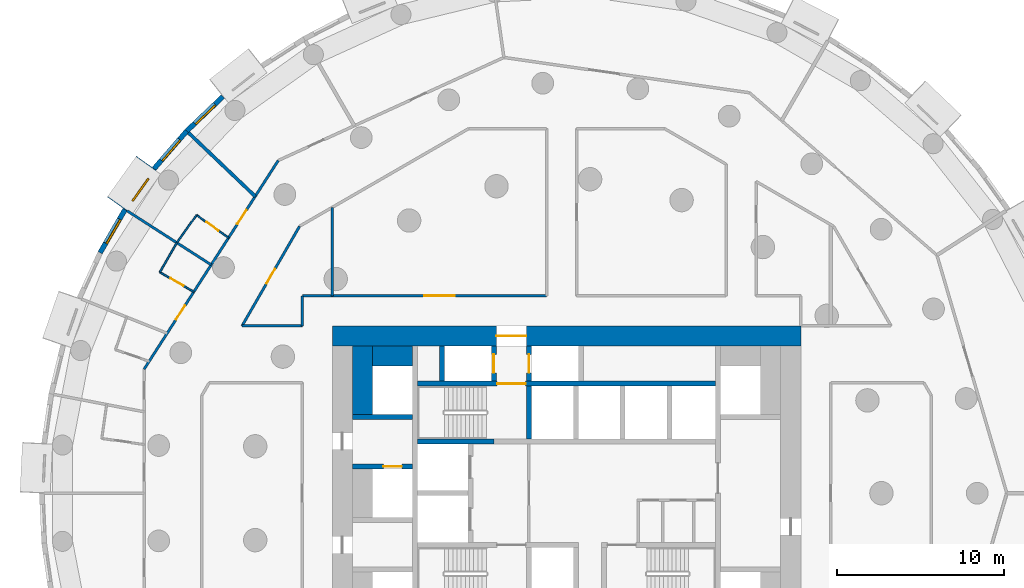
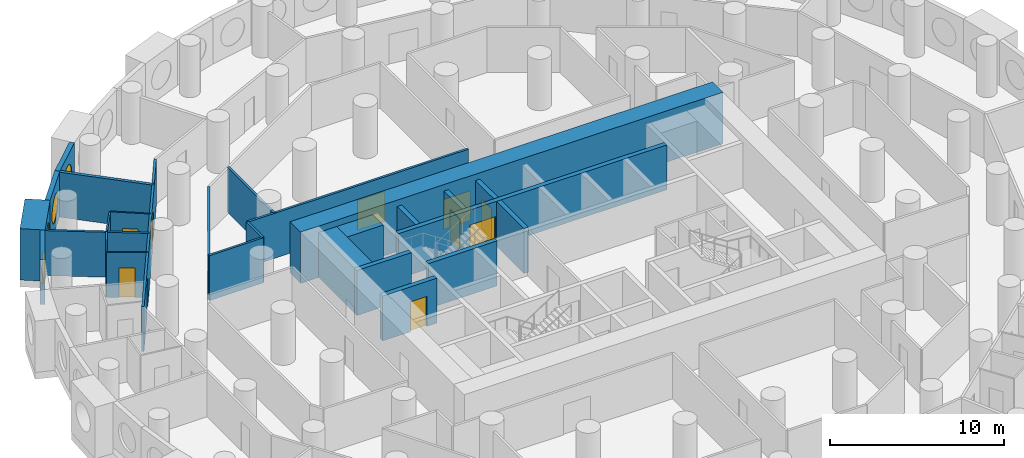
# One storey, part 7 of 11: 27 walls, 11 doors, 4 windows, 15 openings.
"""IFC4 building model written with IfcOpenShell, lengths in metres."""

from ifc_helpers import new_model, si_unit, direction, frame, frame_2d, origin, origin_2d, place, context, subcontext, project, spatial, rectangle, circle, extrude, material, layer, layer_set, type_object, element, fill, save


model = new_model("IFC4")

# Units and contexts
model_context = context("Model", 3, precision=1e-05, world=origin(), true_north=direction((0.0, 1.0)))
body_context = subcontext(model_context, "Body", "Model", "MODEL_VIEW")
ifc_project = project(units=[si_unit("LENGTHUNIT", "METRE"), si_unit("AREAUNIT", "SQUARE_METRE"), si_unit("VOLUMEUNIT", "CUBIC_METRE"), si_unit("PLANEANGLEUNIT", "RADIAN"), si_unit("MASSUNIT", "GRAM", prefix="KILO")], contexts=[model_context])

# Site, building, storey
site_placement = place(None, origin())
site = spatial("IfcSite", under=ifc_project, at=site_placement, CompositionType="ELEMENT")
building_placement = place(site_placement, origin())
building = spatial("IfcBuilding", under=site, at=building_placement, Name="Tracery Tower", CompositionType="ELEMENT")
storey_placement = place(building_placement, frame((0.0, 0.0, 64.199951171875)))
storey = spatial("IfcBuildingStorey", under=building, at=storey_placement, Name="L15", CompositionType="ELEMENT", Elevation=64.199951171875)

# Walls
ifc_material_1 = material(Name="Concrete C60/75", Category="concrete")
ifc_layer_1 = layer(ifc_material_1, 1.199951171875)
ifc_layer_set_1 = layer_set([ifc_layer_1], Name="Core strip wall 1200 C60")
wall_type_1 = type_object("IfcWallType", Name="Core strip wall 1200 C60", PredefinedType="SOLIDWALL", material=ifc_layer_set_1)
wall_1_placement = place(storey_placement, frame((-12.199951171875, 4.699951171875, 0.0), z_axis=(0.0, 0.0, 1.0), x_axis=(0.0, 1.0, 0.0)))
element("IfcWall", 1, at=wall_1_placement, inside=storey, type_object=wall_type_1, Name="L15 wing strip -1 4.55", PredefinedType="SOLIDWALL", context=body_context, shape_type="SweptSolid", body=[
    extrude(rectangle(XDim=4.10009765625, YDim=1.199951171875, at=frame_2d((2.050048828125, 0.0))), origin(), (0.0, 0.0, 1.0), 3.150146484375),
])
wall_2_placement = place(storey_placement, frame((-11.60009765625, 8.199951171875, 0.0), z_axis=(0.0, 0.0, 1.0), x_axis=(1.0, 0.0, 0.0)))
element("IfcWall", 2, at=wall_2_placement, inside=storey, type_object=wall_type_1, Name="L15 wing corner -1 +8.2", PredefinedType="SOLIDWALL", context=body_context, shape_type="SweptSolid", body=[
    extrude(rectangle(XDim=2.400146484375, YDim=1.199951171875, at=frame_2d((1.2001953125, 0.0))), origin(), (0.0, 0.0, 1.0), 3.150146484375),
])

# Wall, opening, door
ifc_material_2 = material(Name="Concrete C60/75", Category="concrete")
ifc_layer_2 = layer(ifc_material_2, 1.199951171875)
ifc_layer_set_2 = layer_set([ifc_layer_2], Name="Core wall 1200 C60")
wall_type_2 = type_object("IfcWallType", Name="Core wall 1200 C60", PredefinedType="SOLIDWALL", material=ifc_layer_set_2)
wall_3_placement = place(storey_placement, frame((-14.0, 9.39990234375, 0.0), z_axis=(0.0, 0.0, 1.0), x_axis=(1.0, 0.0, 0.0)))
wall_3 = element("IfcWall", 3, at=wall_3_placement, inside=storey, type_object=wall_type_2, Name="L15 outer N", PredefinedType="SOLIDWALL", context=body_context, shape_type="SweptSolid", body=[
    extrude(rectangle(XDim=28.0, YDim=1.199951171875, at=frame_2d((14.0, 0.0))), origin(), (0.0, 0.0, 1.0), 3.60009765625),
])
opening_1_placement = place(wall_3_placement, frame((9.800048828125, 0.0, 0.0)))
opening_1 = element("IfcOpeningElement", 4, at=opening_1_placement, cuts=wall_3, Name="Opening KD13", PredefinedType="OPENING", context=body_context, shape_type="SweptSolid", body=[
    extrude(rectangle(XDim=1.800048828125, YDim=2.10009765625, at=frame_2d((0.89990234375, 1.050048828125))), frame((0.0, 0.60009765625, 0.0), z_axis=(0.0, -1.0, 0.0), x_axis=(1.0, 0.0, 0.0)), (0.0, 0.0, 1.0), 1.199951171875),
])
ifc_material_3 = material(Name="Steel fire door", Category="steel")
door_type_1 = type_object("IfcDoorType", Name="Core exit door 1800 double", OperationType="NOTDEFINED", PredefinedType="DOOR", material=ifc_material_3)
door_1_placement = place(opening_1_placement, origin())
door_1 = element("IfcDoor", 5, at=door_1_placement, inside=storey, type_object=door_type_1, Name="Core exit door", OperationType="DOUBLE_DOOR_SINGLE_SWING", OverallHeight=2.10009765625, OverallWidth=1.800048828125, PredefinedType="DOOR", context=body_context, shape_type="SweptSolid", body=[
    extrude(rectangle(XDim=1.800048828125, YDim=2.10009765625, at=frame_2d((0.89990234375, 1.050048828125))), frame((0.0, 0.02490234375, 0.0), z_axis=(0.0, -1.0, 0.0), x_axis=(1.0, 0.0, 0.0)), (0.0, 0.0, 1.0), 0.050048828125),
])
fill(opening_1, door_1)

# Wall, opening, window
ifc_material_4 = material(Name="Precast concrete C50/60", Category="concrete")
ifc_layer_3 = layer(ifc_material_4, 1.449951171875)
ifc_layer_set_3 = layer_set([ifc_layer_3], Name="Deep-set bay unit 3000 x 3600, slab edge 450")
wall_type_3 = type_object("IfcWallType", Name="Deep-set bay unit 3000 x 3600, slab edge 450", PredefinedType="ELEMENTEDWALL", material=ifc_layer_set_3)
wall_4_placement = place(storey_placement, frame((-25.126220703125, 19.733642578125, -0.449951171875), z_axis=(0.0, 0.0, 1.0), x_axis=(-0.580090570606, -0.814551981088, 0.0)))
wall_4 = element("IfcWall", 6, at=wall_4_placement, inside=storey, type_object=wall_type_3, Name="Deep-set bay unit 27 at L15", PredefinedType="ELEMENTEDWALL", context=body_context, shape_type="SweptSolid", body=[
    extrude(rectangle(XDim=3.0, YDim=1.449951171875, at=frame_2d((1.5, 0.0))), origin(), (0.0, 0.0, 1.0), 3.60009765625),
])
opening_2_placement = place(wall_4_placement, frame((1.5, 0.0, 2.0)))
opening_2 = element("IfcOpeningElement", 7, at=opening_2_placement, cuts=wall_4, Name="Opening WN1", PredefinedType="OPENING", context=body_context, shape_type="SweptSolid", body=[
    extrude(circle(Radius=0.9000244140625, at=origin_2d()), frame((0.0, 0.73486328125, 0.0), z_axis=(0.0, -1.0, 0.0), x_axis=(1.0, 0.0, 0.0)), (0.0, 0.0, 1.0), 1.469970703125),
])
ifc_material_5 = material(Name="Aluminium frame with tinted double glazing", Category="aluminium")
window_type = type_object("IfcWindowType", Name="Round window 1800", PartitioningType="SINGLE_PANEL", PredefinedType="WINDOW", material=ifc_material_5)
window_1_placement = place(opening_2_placement, origin())
window_1 = element("IfcWindow", 8, at=window_1_placement, inside=storey, type_object=window_type, Name="Round window 27 at L15", OverallHeight=1.800048828125, OverallWidth=1.800048828125, PartitioningType="SINGLE_PANEL", PredefinedType="WINDOW", context=body_context, shape_type="SweptSolid", body=[
    extrude(circle(Radius=0.9000244140625, at=origin_2d()), frame((0.0, 0.69482421875, 0.0), z_axis=(0.0, -1.0, 0.0), x_axis=(1.0, 0.0, 0.0)), (0.0, 0.0, 1.0), 0.10009765625),
])
fill(opening_2, window_1)

ifc_material_6 = material(Name="Precast concrete C50/60", Category="concrete")
ifc_layer_4 = layer(ifc_material_6, 0.300048828125)
ifc_layer_set_4 = layer_set([ifc_layer_4], Name="Facade panel 3000 x 3150")
wall_type_4 = type_object("IfcWallType", Name="Facade panel 3000 x 3150", PredefinedType="SOLIDWALL", material=ifc_layer_set_4)
wall_5_placement = place(storey_placement, frame((-20.55029296875, 23.70703125, 0.0), z_axis=(0.0, 0.0, 1.0), x_axis=(-0.723744206617, -0.690068346896, 0.0)))
wall_5 = element("IfcWall", 9, at=wall_5_placement, inside=storey, type_object=wall_type_4, Name="Facade panel 25 at L15", PredefinedType="SOLIDWALL", context=body_context, shape_type="SweptSolid", body=[
    extrude(rectangle(XDim=2.979736328125, YDim=0.300048828125, at=frame_2d((1.48974609375, 0.0))), origin(), (0.0, 0.0, 1.0), 3.150146484375),
])
opening_3_placement = place(wall_5_placement, frame((1.48974609375, 0.0, 1.5498046875)))
opening_3 = element("IfcOpeningElement", 10, at=opening_3_placement, cuts=wall_5, Name="Opening WN1", PredefinedType="OPENING", context=body_context, shape_type="SweptSolid", body=[
    extrude(circle(Radius=0.9000244140625, at=origin_2d()), frame((0.0, 0.159912109375, 0.0), z_axis=(0.0, -1.0, 0.0), x_axis=(1.0, 0.0, 0.0)), (0.0, 0.0, 1.0), 0.320068359375),
])
window_2_placement = place(opening_3_placement, origin())
window_2 = element("IfcWindow", 11, at=window_2_placement, inside=storey, type_object=window_type, Name="Round window 25 at L15", OverallHeight=1.800048828125, OverallWidth=1.800048828125, PartitioningType="SINGLE_PANEL", PredefinedType="WINDOW", context=body_context, shape_type="SweptSolid", body=[
    extrude(circle(Radius=0.9000244140625, at=origin_2d()), frame((0.0, 0.1201171875, 0.0), z_axis=(0.0, -1.0, 0.0), x_axis=(1.0, 0.0, 0.0)), (0.0, 0.0, 1.0), 0.10009765625),
])
fill(opening_3, window_2)

wall_6_placement = place(storey_placement, frame((-22.706787109375, 21.65087890625, 0.0), z_axis=(0.0, 0.0, 1.0), x_axis=(-0.654830712471, -0.755775587066, 0.0)))
wall_6 = element("IfcWall", 12, at=wall_6_placement, inside=storey, type_object=wall_type_4, Name="Facade panel 26 at L15", PredefinedType="SOLIDWALL", context=body_context, shape_type="SweptSolid", body=[
    extrude(rectangle(XDim=2.979736328125, YDim=0.300048828125, at=frame_2d((1.48974609375, 0.0))), origin(), (0.0, 0.0, 1.0), 3.150146484375),
])
opening_4_placement = place(wall_6_placement, frame((1.48974609375, 0.0, 1.5498046875)))
opening_4 = element("IfcOpeningElement", 13, at=opening_4_placement, cuts=wall_6, Name="Opening WN1", PredefinedType="OPENING", context=body_context, shape_type="SweptSolid", body=[
    extrude(circle(Radius=0.9000244140625, at=origin_2d()), frame((0.0, 0.159912109375, 0.0), z_axis=(0.0, -1.0, 0.0), x_axis=(1.0, 0.0, 0.0)), (0.0, 0.0, 1.0), 0.320068359375),
])
window_3_placement = place(opening_4_placement, origin())
window_3 = element("IfcWindow", 14, at=window_3_placement, inside=storey, type_object=window_type, Name="Round window 26 at L15", OverallHeight=1.800048828125, OverallWidth=1.800048828125, PartitioningType="SINGLE_PANEL", PredefinedType="WINDOW", context=body_context, shape_type="SweptSolid", body=[
    extrude(circle(Radius=0.9000244140625, at=origin_2d()), frame((0.0, 0.1201171875, 0.0), z_axis=(0.0, -1.0, 0.0), x_axis=(1.0, 0.0, 0.0)), (0.0, 0.0, 1.0), 0.10009765625),
])
fill(opening_4, window_3)

wall_7_placement = place(storey_placement, frame((-26.39697265625, 16.95703125, 0.0), z_axis=(0.0, 0.0, 1.0), x_axis=(-0.499999078476, -0.866025935826, 0.0)))
wall_7 = element("IfcWall", 15, at=wall_7_placement, inside=storey, type_object=wall_type_4, Name="Facade panel 28 at L15", PredefinedType="SOLIDWALL", context=body_context, shape_type="SweptSolid", body=[
    extrude(rectangle(XDim=2.9794921875, YDim=0.300048828125, at=frame_2d((1.48974609375, 0.0))), origin(), (0.0, 0.0, 1.0), 3.150146484375),
])
opening_5_placement = place(wall_7_placement, frame((1.48974609375, 0.0, 1.5498046875)))
opening_5 = element("IfcOpeningElement", 16, at=opening_5_placement, cuts=wall_7, Name="Opening WN1", PredefinedType="OPENING", context=body_context, shape_type="SweptSolid", body=[
    extrude(circle(Radius=0.9000244140625, at=origin_2d()), frame((0.0, 0.159912109375, 0.0), z_axis=(0.0, -1.0, 0.0), x_axis=(1.0, 0.0, 0.0)), (0.0, 0.0, 1.0), 0.320068359375),
])
window_4_placement = place(opening_5_placement, origin())
window_4 = element("IfcWindow", 17, at=window_4_placement, inside=storey, type_object=window_type, Name="Round window 28 at L15", OverallHeight=1.800048828125, OverallWidth=1.800048828125, PartitioningType="SINGLE_PANEL", PredefinedType="WINDOW", context=body_context, shape_type="SweptSolid", body=[
    extrude(circle(Radius=0.9000244140625, at=origin_2d()), frame((0.0, 0.1201171875, 0.0), z_axis=(0.0, -1.0, 0.0), x_axis=(1.0, 0.0, 0.0)), (0.0, 0.0, 1.0), 0.10009765625),
])
fill(opening_5, window_4)

# Wall, opening, door
ifc_material_7 = material(Name="Plasterboard on steel studs", Category="steel")
ifc_layer_5 = layer(ifc_material_7, 0.10009765625)
ifc_layer_set_5 = layer_set([ifc_layer_5], Name="Partition 100 wet wall")
wall_type_5 = type_object("IfcWallType", Name="Partition 100 wet wall", PredefinedType="PARTITIONING", material=ifc_layer_set_5)
wall_8_placement = place(storey_placement, frame((-22.118896484375, 16.6279296875, 0.0), z_axis=(0.0, 0.0, 1.0), x_axis=(0.814498780807, -0.580165266165, 0.0)))
wall_8 = element("IfcWall", 18, at=wall_8_placement, inside=storey, type_object=wall_type_5, Name="Wet wall RA4-071", PredefinedType="PARTITIONING", context=body_context, shape_type="SweptSolid", body=[
    extrude(rectangle(XDim=2.347412109375, YDim=0.10009765625, at=frame_2d((1.173828125, 0.0))), origin(), (0.0, 0.0, 1.0), 3.150146484375),
])
opening_6_placement = place(wall_8_placement, frame((0.723388671875, 0.0, 0.0)))
opening_6 = element("IfcOpeningElement", 19, at=opening_6_placement, cuts=wall_8, Name="Opening RA4-18", PredefinedType="OPENING", context=body_context, shape_type="SweptSolid", body=[
    extrude(rectangle(XDim=0.89990234375, YDim=2.0400390625, at=frame_2d((0.449951171875, 1.02001953125))), frame((0.0, 0.050048828125, 0.0), z_axis=(0.0, -1.0, 0.0), x_axis=(1.0, 0.0, 0.0)), (0.0, 0.0, 1.0), 0.10009765625),
])
ifc_material_8 = material(Name="Timber door leaf", Category="wood")
door_type_2 = type_object("IfcDoorType", Name="Door en-suite 900", OperationType="NOTDEFINED", PredefinedType="DOOR", material=ifc_material_8)
door_2_placement = place(opening_6_placement, origin())
door_2 = element("IfcDoor", 20, at=door_2_placement, inside=storey, type_object=door_type_2, Name="En-suite door RA4-18", OperationType="SINGLE_SWING_RIGHT", OverallHeight=2.0400390625, OverallWidth=0.89990234375, PredefinedType="DOOR", context=body_context, shape_type="SweptSolid", body=[
    extrude(rectangle(XDim=0.89990234375, YDim=2.0400390625, at=frame_2d((0.449951171875, 1.02001953125))), frame((0.0, 0.02490234375, 0.0), z_axis=(0.0, -1.0, 0.0), x_axis=(1.0, 0.0, 0.0)), (0.0, 0.0, 1.0), 0.050048828125),
])
fill(opening_6, door_2)

# Walls
for number, where, z_axis, x_axis, name in (
    (21, (-23.298095703125, 14.972900390625, 0.0), (0.0, 0.0, 1.0), (0.580271800959, 0.81442288586, 0.0), "Wet wall RA4-072"),
    (22, (-24.31396484375, 13.212890625, 0.0), (0.0, 0.0, 1.0), (0.499899251727, 0.866083563014, 0.0), "Wet wall RA4-074"),
):
    element("IfcWall", number, at=place(storey_placement, frame(where, z_axis=z_axis, x_axis=x_axis)), inside=storey, type_object=wall_type_5, Name=name, PredefinedType="PARTITIONING", context=body_context, shape_type="SweptSolid", body=[
        extrude(rectangle(XDim=2.0322265625, YDim=0.10009765625, at=frame_2d((1.01611328125, 0.0))), origin(), (0.0, 0.0, 1.0), 3.150146484375),
    ])

# Wall, opening, door
wall_9_placement = place(storey_placement, frame((-24.31396484375, 13.212890625, 0.0), z_axis=(0.0, 0.0, 1.0), x_axis=(0.866007195875, -0.500031535699, 0.0)))
wall_9 = element("IfcWall", 23, at=wall_9_placement, inside=storey, type_object=wall_type_5, Name="Wet wall RA4-075", PredefinedType="PARTITIONING", context=body_context, shape_type="SweptSolid", body=[
    extrude(rectangle(XDim=2.347412109375, YDim=0.10009765625, at=frame_2d((1.173828125, 0.0))), origin(), (0.0, 0.0, 1.0), 3.150146484375),
])
opening_7_placement = place(wall_9_placement, frame((0.72412109375, 0.0, 0.0)))
opening_7 = element("IfcOpeningElement", 24, at=opening_7_placement, cuts=wall_9, Name="Opening RA4-20", PredefinedType="OPENING", context=body_context, shape_type="SweptSolid", body=[
    extrude(rectangle(XDim=0.89990234375, YDim=2.0400390625, at=frame_2d((0.449951171875, 1.02001953125))), frame((0.0, 0.050048828125, 0.0), z_axis=(0.0, -1.0, 0.0), x_axis=(1.0, 0.0, 0.0)), (0.0, 0.0, 1.0), 0.10009765625),
])
door_3_placement = place(opening_7_placement, origin())
door_3 = element("IfcDoor", 25, at=door_3_placement, inside=storey, type_object=door_type_2, Name="En-suite door RA4-20", OperationType="SINGLE_SWING_RIGHT", OverallHeight=2.0400390625, OverallWidth=0.89990234375, PredefinedType="DOOR", context=body_context, shape_type="SweptSolid", body=[
    extrude(rectangle(XDim=0.89990234375, YDim=2.0400390625, at=frame_2d((0.449951171875, 1.02001953125))), frame((0.0, 0.02490234375, 0.0), z_axis=(0.0, -1.0, 0.0), x_axis=(1.0, 0.0, 0.0)), (0.0, 0.0, 1.0), 0.050048828125),
])
fill(opening_7, door_3)

# Walls
ifc_material_9 = material(Name="Plasterboard on steel studs", Category="steel")
ifc_layer_6 = layer(ifc_material_9, 0.14990234375)
ifc_layer_set_6 = layer_set([ifc_layer_6], Name="Partition 150 acoustic unit wall")
wall_type_6 = type_object("IfcWallType", Name="Partition 150 acoustic unit wall", PredefinedType="PARTITIONING", material=ifc_layer_set_6)
wall_10_placement = place(storey_placement, frame((-14.0, 11.800048828125, 0.0), z_axis=(0.0, 0.0, 1.0), x_axis=(0.0, 1.0, 0.0)))
element("IfcWall", 26, at=wall_10_placement, inside=storey, type_object=wall_type_6, Name="Unit wall RA4-061", PredefinedType="PARTITIONING", context=body_context, shape_type="SweptSolid", body=[
    extrude(rectangle(XDim=5.2919921875, YDim=0.14990234375, at=frame_2d((2.64599609375, 0.0))), origin(), (0.0, 0.0, 1.0), 3.150146484375),
])
wall_11_placement = place(storey_placement, frame((-26.26806640625, 16.881103515625, 0.0), z_axis=(0.0, 0.0, 1.0), x_axis=(0.841333855553, -0.540515812443, 0.0)))
element("IfcWall", 27, at=wall_11_placement, inside=storey, type_object=wall_type_6, Name="Unit wall RA4-073", PredefinedType="PARTITIONING", context=body_context, shape_type="SweptSolid", body=[
    extrude(rectangle(XDim=5.9716796875, YDim=0.14990234375, at=frame_2d((2.98583984375, 0.0))), origin(), (0.0, 0.0, 1.0), 3.150146484375),
])

# Wall, opening, door
ifc_material_10 = material(Name="Plasterboard on steel studs", Category="steel")
ifc_layer_7 = layer(ifc_material_10, 0.14990234375)
ifc_layer_set_7 = layer_set([ifc_layer_7], Name="Partition 150 corridor wall")
wall_type_7 = type_object("IfcWallType", Name="Partition 150 corridor wall", PredefinedType="PARTITIONING", material=ifc_layer_set_7)
wall_12_placement = place(storey_placement, frame((-15.800048828125, 11.800048828125, 0.0), z_axis=(0.0, 0.0, 1.0), x_axis=(1.0, 0.0, 0.0)))
wall_12 = element("IfcWall", 28, at=wall_12_placement, inside=storey, type_object=wall_type_7, Name="Corridor wall RA4-001", PredefinedType="PARTITIONING", context=body_context, shape_type="SweptSolid", body=[
    extrude(rectangle(XDim=14.612060546875, YDim=0.14990234375, at=frame_2d((7.30615234375, 0.0))), origin(), (0.0, 0.0, 1.0), 3.150146484375),
])
opening_8_placement = place(wall_12_placement, frame((7.303955078125, 0.0, 0.0)))
opening_8 = element("IfcOpeningElement", 29, at=opening_8_placement, cuts=wall_12, Name="Opening RA4-01", PredefinedType="OPENING", context=body_context, shape_type="SweptSolid", body=[
    extrude(rectangle(XDim=1.800048828125, YDim=2.10009765625, at=frame_2d((0.89990234375, 1.050048828125))), frame((0.0, 0.074951171875, 0.0), z_axis=(0.0, -1.0, 0.0), x_axis=(1.0, 0.0, 0.0)), (0.0, 0.0, 1.0), 0.14990234375),
])
ifc_material_11 = material(Name="Timber door leaf", Category="wood")
door_type_3 = type_object("IfcDoorType", Name="Door double lounge 1800", OperationType="NOTDEFINED", PredefinedType="DOOR", material=ifc_material_11)
door_4_placement = place(opening_8_placement, origin())
door_4 = element("IfcDoor", 30, at=door_4_placement, inside=storey, type_object=door_type_3, Name="Double lounge door RA4-01", OperationType="DOUBLE_DOOR_SINGLE_SWING", OverallHeight=2.10009765625, OverallWidth=1.800048828125, PredefinedType="DOOR", context=body_context, shape_type="SweptSolid", body=[
    extrude(rectangle(XDim=1.800048828125, YDim=2.10009765625, at=frame_2d((0.89990234375, 1.050048828125))), frame((0.0, 0.02490234375, 0.0), z_axis=(0.0, -1.0, 0.0), x_axis=(1.0, 0.0, 0.0)), (0.0, 0.0, 1.0), 0.050048828125),
])
fill(opening_8, door_4)

# Wall
wall_13_placement = place(storey_placement, frame((-15.800048828125, 10.0, 0.0), z_axis=(0.0, 0.0, 1.0), x_axis=(0.0, 1.0, 0.0)))
element("IfcWall", 31, at=wall_13_placement, inside=storey, type_object=wall_type_7, Name="Corridor wall RA4-005", PredefinedType="PARTITIONING", context=body_context, shape_type="SweptSolid", body=[
    extrude(rectangle(XDim=1.800048828125, YDim=0.14990234375, at=frame_2d((0.89990234375, 0.0))), origin(), (0.0, 0.0, 1.0), 3.150146484375),
])

# Wall, openings, doors
wall_14_placement = place(storey_placement, frame((-25.2548828125, 7.416259765625, 0.0), z_axis=(0.0, 0.0, 1.0), x_axis=(0.540805851332, 0.841147449123, 0.0)))
wall_14 = element("IfcWall", 32, at=wall_14_placement, inside=storey, type_object=wall_type_7, Name="Corridor wall RA4-037", PredefinedType="PARTITIONING", context=body_context, shape_type="SweptSolid", body=[
    extrude(rectangle(XDim=14.829345703125, YDim=0.14990234375, at=frame_2d((7.41455078125, 0.0))), origin(), (0.0, 0.0, 1.0), 3.150146484375),
])
opening_9_placement = place(wall_14_placement, frame((10.30712890625, 0.0, 0.0)))
opening_9 = element("IfcOpeningElement", 33, at=opening_9_placement, cuts=wall_14, Name="Opening RA4-19", PredefinedType="OPENING", context=body_context, shape_type="SweptSolid", body=[
    extrude(rectangle(XDim=1.0, YDim=2.10009765625, at=frame_2d((0.5, 1.050048828125))), frame((0.0, 0.074951171875, 0.0), z_axis=(0.0, -1.0, 0.0), x_axis=(1.0, 0.0, 0.0)), (0.0, 0.0, 1.0), 0.14990234375),
])
opening_10_placement = place(wall_14_placement, frame((3.521728515625, 0.0, 0.0)))
opening_10 = element("IfcOpeningElement", 34, at=opening_10_placement, cuts=wall_14, Name="Opening RA4-21", PredefinedType="OPENING", context=body_context, shape_type="SweptSolid", body=[
    extrude(rectangle(XDim=1.0, YDim=2.10009765625, at=frame_2d((0.5, 1.050048828125))), frame((0.0, 0.074951171875, 0.0), z_axis=(0.0, -1.0, 0.0), x_axis=(1.0, 0.0, 0.0)), (0.0, 0.0, 1.0), 0.14990234375),
])
ifc_material_12 = material(Name="Timber door leaf", Category="wood")
door_type_4 = type_object("IfcDoorType", Name="Door unit entrance 1000", OperationType="NOTDEFINED", PredefinedType="DOOR", material=ifc_material_12)
door_5_placement = place(opening_9_placement, origin())
door_5 = element("IfcDoor", 35, at=door_5_placement, inside=storey, type_object=door_type_4, Name="Unit entrance door RA4-19", OperationType="SINGLE_SWING_LEFT", OverallHeight=2.10009765625, OverallWidth=1.0, PredefinedType="DOOR", context=body_context, shape_type="SweptSolid", body=[
    extrude(rectangle(XDim=1.0, YDim=2.10009765625, at=frame_2d((0.5, 1.050048828125))), frame((0.0, 0.02490234375, 0.0), z_axis=(0.0, -1.0, 0.0), x_axis=(1.0, 0.0, 0.0)), (0.0, 0.0, 1.0), 0.050048828125),
])
fill(opening_9, door_5)
door_6_placement = place(opening_10_placement, origin())
door_6 = element("IfcDoor", 36, at=door_6_placement, inside=storey, type_object=door_type_4, Name="Unit entrance door RA4-21", OperationType="SINGLE_SWING_LEFT", OverallHeight=2.10009765625, OverallWidth=1.0, PredefinedType="DOOR", context=body_context, shape_type="SweptSolid", body=[
    extrude(rectangle(XDim=1.0, YDim=2.10009765625, at=frame_2d((0.5, 1.050048828125))), frame((0.0, 0.02490234375, 0.0), z_axis=(0.0, -1.0, 0.0), x_axis=(1.0, 0.0, 0.0)), (0.0, 0.0, 1.0), 0.050048828125),
])
fill(opening_10, door_6)

# Wall, opening, door
wall_15_placement = place(storey_placement, frame((-19.40087890625, 10.0, 0.0), z_axis=(0.0, 0.0, 1.0), x_axis=(0.499992689227, 0.86602962462, 0.0)))
wall_15 = element("IfcWall", 37, at=wall_15_placement, inside=storey, type_object=wall_type_7, Name="Corridor wall RA4-043", PredefinedType="PARTITIONING", context=body_context, shape_type="SweptSolid", body=[
    extrude(rectangle(XDim=6.8818359375, YDim=0.14990234375, at=frame_2d((3.44091796875, 0.0))), origin(), (0.0, 0.0, 1.0), 3.150146484375),
])
opening_11_placement = place(wall_15_placement, frame((2.94091796875, 0.0, 0.0)))
opening_11 = element("IfcOpeningElement", 38, at=opening_11_placement, cuts=wall_15, Name="Opening RA4-11", PredefinedType="OPENING", context=body_context, shape_type="SweptSolid", body=[
    extrude(rectangle(XDim=1.0, YDim=2.0400390625, at=frame_2d((0.5, 1.02001953125))), frame((0.0, 0.074951171875, 0.0), z_axis=(0.0, -1.0, 0.0), x_axis=(1.0, 0.0, 0.0)), (0.0, 0.0, 1.0), 0.14990234375),
])
ifc_material_13 = material(Name="Timber door leaf", Category="wood")
door_type_5 = type_object("IfcDoorType", Name="Door communal room 1000", OperationType="NOTDEFINED", PredefinedType="DOOR", material=ifc_material_13)
door_7_placement = place(opening_11_placement, origin())
door_7 = element("IfcDoor", 39, at=door_7_placement, inside=storey, type_object=door_type_5, Name="Communal room door RA4-11", OperationType="SINGLE_SWING_LEFT", OverallHeight=2.0400390625, OverallWidth=1.0, PredefinedType="DOOR", context=body_context, shape_type="SweptSolid", body=[
    extrude(rectangle(XDim=1.0, YDim=2.0400390625, at=frame_2d((0.5, 1.02001953125))), frame((0.0, 0.02490234375, 0.0), z_axis=(0.0, -1.0, 0.0), x_axis=(1.0, 0.0, 0.0)), (0.0, 0.0, 1.0), 0.050048828125),
])
fill(opening_11, door_7)

# Walls
wall_16_placement = place(storey_placement, frame((-19.40087890625, 10.0, 0.0), z_axis=(0.0, 0.0, 1.0), x_axis=(1.0, 0.0, 0.0)))
element("IfcWall", 40, at=wall_16_placement, inside=storey, type_object=wall_type_7, Name="Corridor wall RA4-044", PredefinedType="PARTITIONING", context=body_context, shape_type="SweptSolid", body=[
    extrude(rectangle(XDim=3.600830078125, YDim=0.14990234375, at=frame_2d((1.80029296875, 0.0))), origin(), (0.0, 0.0, 1.0), 3.150146484375),
])
ifc_material_14 = material(Name="Plasterboard on steel studs", Category="steel")
ifc_layer_8 = layer(ifc_material_14, 0.199951171875)
ifc_layer_set_8 = layer_set([ifc_layer_8], Name="Partition 200 compartment wall")
wall_type_8 = type_object("IfcWallType", Name="Partition 200 compartment wall", PredefinedType="PARTITIONING", material=ifc_layer_set_8)
wall_17_placement = place(storey_placement, frame((-22.597900390625, 21.547119140625, 0.0), z_axis=(0.0, 0.0, 1.0), x_axis=(0.723689650329, -0.690125561044, 0.0)))
element("IfcWall", 41, at=wall_17_placement, inside=storey, type_object=wall_type_8, Name="Compartment wall RA4-070", PredefinedType="PARTITIONING", context=body_context, shape_type="SweptSolid", body=[
    extrude(rectangle(XDim=5.50634765625, YDim=0.199951171875, at=frame_2d((2.753173828125, 0.0))), origin(), (0.0, 0.0, 1.0), 3.150146484375),
])
ifc_material_15 = material(Name="Concrete C60/75", Category="concrete")
ifc_layer_9 = layer(ifc_material_15, 0.300048828125)
ifc_layer_set_9 = layer_set([ifc_layer_9], Name="Shaft wall 300 C60")
wall_type_9 = type_object("IfcWallType", Name="Shaft wall 300 C60", PredefinedType="SOLIDWALL", material=ifc_layer_set_9)
wall_18_placement = place(storey_placement, frame((-7.449951171875, 6.699951171875, 0.0), z_axis=(0.0, 0.0, 1.0), x_axis=(0.0, 1.0, 0.0)))
element("IfcWall", 42, at=wall_18_placement, inside=storey, type_object=wall_type_9, Name="L15 LR sep -7.45", PredefinedType="SOLIDWALL", context=body_context, shape_type="SweptSolid", body=[
    extrude(rectangle(XDim=2.10009765625, YDim=0.300048828125, at=frame_2d((1.050048828125, 0.0))), origin(), (0.0, 0.0, 1.0), 3.150146484375),
])

# Wall, opening, door
wall_19_placement = place(storey_placement, frame((-4.35009765625, 6.699951171875, 0.0), z_axis=(0.0, 0.0, 1.0), x_axis=(0.0, 1.0, 0.0)))
wall_19 = element("IfcWall", 43, at=wall_19_placement, inside=storey, type_object=wall_type_9, Name="L15 LR sep -4.35", PredefinedType="SOLIDWALL", context=body_context, shape_type="SweptSolid", body=[
    extrude(rectangle(XDim=2.10009765625, YDim=0.300048828125, at=frame_2d((1.050048828125, 0.0))), origin(), (0.0, 0.0, 1.0), 3.150146484375),
])
opening_12_placement = place(wall_19_placement, frame((0.5, 0.0, 0.0)))
opening_12 = element("IfcOpeningElement", 44, at=opening_12_placement, cuts=wall_19, Name="Opening KD50", PredefinedType="OPENING", context=body_context, shape_type="SweptSolid", body=[
    extrude(rectangle(XDim=1.10009765625, YDim=2.10009765625, at=frame_2d((0.550048828125, 1.050048828125))), frame((0.0, 0.14990234375, 0.0), z_axis=(0.0, -1.0, 0.0), x_axis=(1.0, 0.0, 0.0)), (0.0, 0.0, 1.0), 0.300048828125),
])
ifc_material_16 = material(Name="Steel fire door", Category="steel")
door_type_6 = type_object("IfcDoorType", Name="Landing door 1100", OperationType="NOTDEFINED", PredefinedType="DOOR", material=ifc_material_16)
door_8_placement = place(opening_12_placement, origin())
door_8 = element("IfcDoor", 45, at=door_8_placement, inside=storey, type_object=door_type_6, Name="Landing door LR3", OperationType="SLIDING_TO_RIGHT", OverallHeight=2.10009765625, OverallWidth=1.10009765625, PredefinedType="DOOR", context=body_context, shape_type="SweptSolid", body=[
    extrude(rectangle(XDim=1.10009765625, YDim=2.10009765625, at=frame_2d((0.550048828125, 1.050048828125))), frame((0.0, 0.02490234375, 0.0), z_axis=(0.0, -1.0, 0.0), x_axis=(1.0, 0.0, 0.0)), (0.0, 0.0, 1.0), 0.050048828125),
])
fill(opening_12, door_8)

# Wall
wall_20_placement = place(storey_placement, frame((-12.800048828125, 4.550048828125, 0.0), z_axis=(0.0, 0.0, 1.0), x_axis=(1.0, 0.0, 0.0)))
element("IfcWall", 46, at=wall_20_placement, inside=storey, type_object=wall_type_9, Name="L15 wing shaft wall -1 +4.55", PredefinedType="SOLIDWALL", context=body_context, shape_type="SweptSolid", body=[
    extrude(rectangle(XDim=3.60009765625, YDim=0.300048828125, at=frame_2d((1.800048828125, 0.0))), origin(), (0.0, 0.0, 1.0), 3.150146484375),
])

# Wall, opening, door
wall_21_placement = place(storey_placement, frame((-12.800048828125, 1.60009765625, 0.0), z_axis=(0.0, 0.0, 1.0), x_axis=(1.0, 0.0, 0.0)))
wall_21 = element("IfcWall", 47, at=wall_21_placement, inside=storey, type_object=wall_type_9, Name="L15 wing shaft wall -1 +1.60", PredefinedType="SOLIDWALL", context=body_context, shape_type="SweptSolid", body=[
    extrude(rectangle(XDim=3.60009765625, YDim=0.300048828125, at=frame_2d((1.800048828125, 0.0))), origin(), (0.0, 0.0, 1.0), 3.150146484375),
])
opening_13_placement = place(wall_21_placement, frame((1.85009765625, 0.0, 0.0)))
opening_13 = element("IfcOpeningElement", 48, at=opening_13_placement, cuts=wall_21, Name="Opening KD50", PredefinedType="OPENING", context=body_context, shape_type="SweptSolid", body=[
    extrude(rectangle(XDim=1.10009765625, YDim=2.10009765625, at=frame_2d((0.550048828125, 1.050048828125))), frame((0.0, 0.14990234375, 0.0), z_axis=(0.0, -1.0, 0.0), x_axis=(1.0, 0.0, 0.0)), (0.0, 0.0, 1.0), 0.300048828125),
])
door_9_placement = place(opening_13_placement, origin())
door_9 = element("IfcDoor", 49, at=door_9_placement, inside=storey, type_object=door_type_6, Name="Landing door LR1", OperationType="SLIDING_TO_RIGHT", OverallHeight=2.10009765625, OverallWidth=1.10009765625, PredefinedType="DOOR", context=body_context, shape_type="SweptSolid", body=[
    extrude(rectangle(XDim=1.10009765625, YDim=2.10009765625, at=frame_2d((0.550048828125, 1.050048828125))), frame((0.0, 0.02490234375, 0.0), z_axis=(0.0, -1.0, 0.0), x_axis=(1.0, 0.0, 0.0)), (0.0, 0.0, 1.0), 0.050048828125),
])
fill(opening_13, door_9)

# Walls
ifc_material_17 = material(Name="Concrete C60/75", Category="concrete")
ifc_layer_10 = layer(ifc_material_17, 0.300048828125)
ifc_layer_set_10 = layer_set([ifc_layer_10], Name="Stair wall 300 C60")
wall_type_10 = type_object("IfcWallType", Name="Stair wall 300 C60", PredefinedType="SOLIDWALL", material=ifc_layer_set_10)
wall_22_placement = place(storey_placement, frame((-8.89990234375, 3.10009765625, 0.0), z_axis=(0.0, 0.0, 1.0), x_axis=(1.0, 0.0, 0.0)))
element("IfcWall", 50, at=wall_22_placement, inside=storey, type_object=wall_type_10, Name="L15 row N W", PredefinedType="SOLIDWALL", context=body_context, shape_type="SweptSolid", body=[
    extrude(rectangle(XDim=4.5498046875, YDim=0.300048828125, at=frame_2d((2.27490234375, 0.0))), origin(), (0.0, 0.0, 1.0), 3.150146484375),
])
wall_23_placement = place(storey_placement, frame((-2.25, 3.25, 0.0), z_axis=(0.0, 0.0, 1.0), x_axis=(0.0, 1.0, 0.0)))
element("IfcWall", 51, at=wall_23_placement, inside=storey, type_object=wall_type_10, Name="L15 ST3 E", PredefinedType="SOLIDWALL", context=body_context, shape_type="SweptSolid", body=[
    extrude(rectangle(XDim=3.14990234375, YDim=0.300048828125, at=frame_2d((1.574951171875, 0.0))), origin(), (0.0, 0.0, 1.0), 3.150146484375),
])

# Wall, opening, door
wall_24_placement = place(storey_placement, frame((-8.89990234375, 6.550048828125, 0.0), z_axis=(0.0, 0.0, 1.0), x_axis=(1.0, 0.0, 0.0)))
wall_24 = element("IfcWall", 52, at=wall_24_placement, inside=storey, type_object=wall_type_10, Name="L15 F N", PredefinedType="SOLIDWALL", context=body_context, shape_type="SweptSolid", body=[
    extrude(rectangle(XDim=17.7998046875, YDim=0.300048828125, at=frame_2d((8.89990234375, 0.0))), origin(), (0.0, 0.0, 1.0), 3.150146484375),
])
opening_14_placement = place(wall_24_placement, frame((4.75, 0.0, 0.0)))
opening_14 = element("IfcOpeningElement", 53, at=opening_14_placement, cuts=wall_24, Name="Opening KD3", PredefinedType="OPENING", context=body_context, shape_type="SweptSolid", body=[
    extrude(rectangle(XDim=1.699951171875, YDim=2.10009765625, at=frame_2d((0.85009765625, 1.050048828125))), frame((0.0, 0.14990234375, 0.0), z_axis=(0.0, -1.0, 0.0), x_axis=(1.0, 0.0, 0.0)), (0.0, 0.0, 1.0), 0.300048828125),
])
ifc_material_18 = material(Name="Steel fire door", Category="steel")
door_type_7 = type_object("IfcDoorType", Name="Core stair door 1700 double", OperationType="NOTDEFINED", PredefinedType="DOOR", material=ifc_material_18)
door_10_placement = place(opening_14_placement, origin())
door_10 = element("IfcDoor", 54, at=door_10_placement, inside=storey, type_object=door_type_7, Name="Stair door ST3 N", OperationType="DOUBLE_DOOR_SINGLE_SWING", OverallHeight=2.10009765625, OverallWidth=1.699951171875, PredefinedType="DOOR", context=body_context, shape_type="SweptSolid", body=[
    extrude(rectangle(XDim=1.699951171875, YDim=2.10009765625, at=frame_2d((0.85009765625, 1.050048828125))), frame((0.0, 0.02490234375, 0.0), z_axis=(0.0, -1.0, 0.0), x_axis=(1.0, 0.0, 0.0)), (0.0, 0.0, 1.0), 0.050048828125),
])
fill(opening_14, door_10)

wall_25_placement = place(storey_placement, frame((-2.25, 6.699951171875, 0.0), z_axis=(0.0, 0.0, 1.0), x_axis=(0.0, 1.0, 0.0)))
wall_25 = element("IfcWall", 55, at=wall_25_placement, inside=storey, type_object=wall_type_10, Name="L15 ST3 E out", PredefinedType="SOLIDWALL", context=body_context, shape_type="SweptSolid", body=[
    extrude(rectangle(XDim=2.10009765625, YDim=0.300048828125, at=frame_2d((1.050048828125, 0.0))), origin(), (0.0, 0.0, 1.0), 3.150146484375),
])
opening_15_placement = place(wall_25_placement, frame((0.5, 0.0, 0.0)))
opening_15 = element("IfcOpeningElement", 56, at=opening_15_placement, cuts=wall_25, Name="Opening KD49", PredefinedType="OPENING", context=body_context, shape_type="SweptSolid", body=[
    extrude(rectangle(XDim=1.10009765625, YDim=2.10009765625, at=frame_2d((0.550048828125, 1.050048828125))), frame((0.0, 0.14990234375, 0.0), z_axis=(0.0, -1.0, 0.0), x_axis=(1.0, 0.0, 0.0)), (0.0, 0.0, 1.0), 0.300048828125),
])
door_11_placement = place(opening_15_placement, origin())
door_11 = element("IfcDoor", 57, at=door_11_placement, inside=storey, type_object=door_type_6, Name="Landing door LR2", OperationType="SLIDING_TO_LEFT", OverallHeight=2.10009765625, OverallWidth=1.10009765625, PredefinedType="DOOR", context=body_context, shape_type="SweptSolid", body=[
    extrude(rectangle(XDim=1.10009765625, YDim=2.10009765625, at=frame_2d((0.550048828125, 1.050048828125))), frame((0.0, 0.02490234375, 0.0), z_axis=(0.0, -1.0, 0.0), x_axis=(1.0, 0.0, 0.0)), (0.0, 0.0, 1.0), 0.050048828125),
])
fill(opening_15, door_11)

save(model, "model.ifc")
